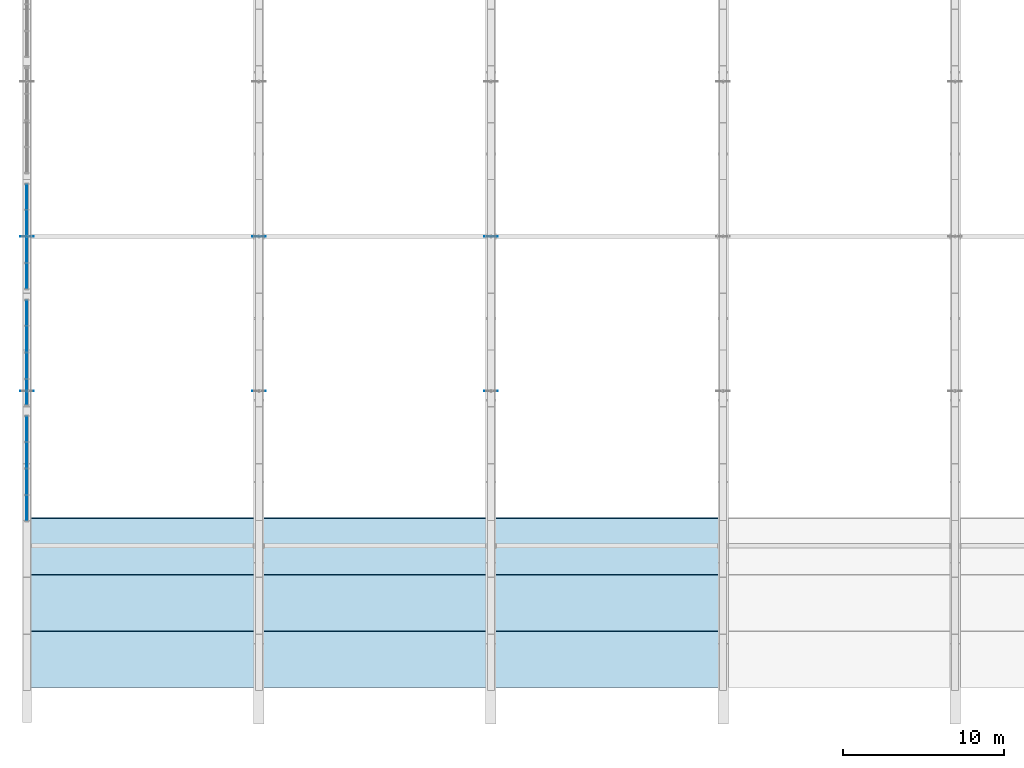
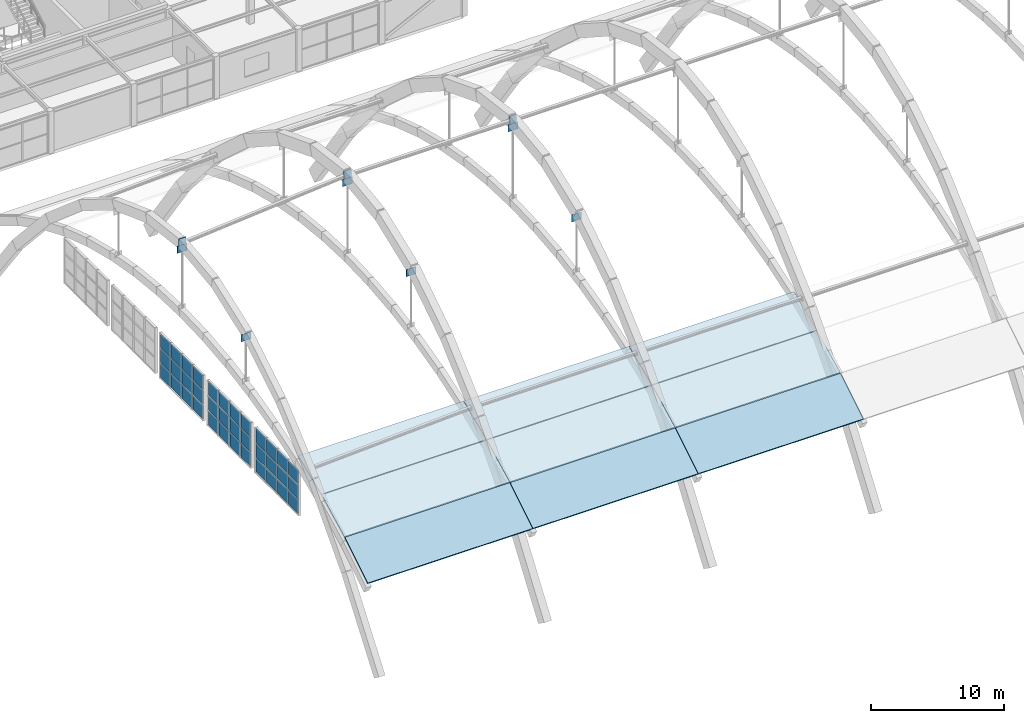
# One storey, part 38 of 64: 45 plates, 9 slabs, 3 elements without a shape of their own.
"""IFC4 building model written with IfcOpenShell, lengths in metres."""

from ifc_helpers import new_model, si_unit, direction, frame, origin, origin_2d, place, context, subcontext, project, spatial, polyline, rectangle, outline, extrude, material, layer, layer_set, type_object, element, aggregate, save


model = new_model("IFC4")

# Units and contexts
model_context = context("Model", 3, precision=1e-05, world=origin(), true_north=direction((0.0, 1.0)))
body_context = subcontext(model_context, "Body", "Model", "MODEL_VIEW")
ifc_project = project(units=[si_unit("LENGTHUNIT", "METRE"), si_unit("AREAUNIT", "SQUARE_METRE"), si_unit("VOLUMEUNIT", "CUBIC_METRE"), si_unit("PLANEANGLEUNIT", "RADIAN"), si_unit("MASSUNIT", "GRAM", prefix="KILO")], contexts=[model_context])

# Site, building, storey
site_placement = place(None, origin())
site = spatial("IfcSite", under=ifc_project, at=site_placement, CompositionType="ELEMENT")
building_placement = place(site_placement, origin())
building = spatial("IfcBuilding", under=site, at=building_placement, Name="Leyfeld Transit Interchange", CompositionType="ELEMENT")
storey_placement = place(building_placement, frame((0.0, 0.0, 9.60009765625)))
storey = spatial("IfcBuildingStorey", under=building, at=storey_placement, Name="L02", CompositionType="ELEMENT", Elevation=9.60009765625)

# Curtain wall, plates
ifc_material_1 = material(Name="Anodised aluminium EN AW-6060 T66", Category="aluminium")
curtain_wall_type = type_object("IfcCurtainWallType", Name="CW-SYS-GAB-7200", PredefinedType="NOTDEFINED", material=ifc_material_1)
curtain_wall_1_placement = place(storey_placement, origin())
curtain_wall_1 = element("IfcCurtainWall", 1, at=curtain_wall_1_placement, inside=storey, type_object=curtain_wall_type, Name="Curtain Wall CW-L02-GABW-01", PredefinedType="NOTDEFINED")
ifc_material_2 = material(Name="Laminated safety acoustic glazing", Category="glass")
ifc_layer_1 = layer(ifc_material_2, 0.048095703125, Name="Laminated safety acoustic glazing")
ifc_layer_set_1 = layer_set([ifc_layer_1], Name="Laminated safety acoustic glazing")
plate_type_1 = type_object("IfcPlateType", Name="CW-PNL-ACU-48", PredefinedType="CURTAIN_PANEL", material=ifc_layer_set_1)
plate_1_placement = place(storey_placement, frame((0.0, 15.54638671875, -0.5166015625), z_axis=(0.0, 0.0, 1.0), x_axis=(0.0, 1.0, 0.0)))
plate_1 = element("IfcPlate", 2, at=plate_1_placement, type_object=plate_type_1, Name="Glazed Curtain Panel CW-L02-GABW-01-P01_1", PredefinedType="CURTAIN_PANEL", context=body_context, shape_type="SweptSolid", body=[
    extrude(rectangle(XDim=1.525390625, YDim=0.048095703125, at=origin_2d()), origin(), (0.0, 0.0, 1.0), 1.289794921875),
])
plate_2_placement = place(storey_placement, frame((0.0, 15.54638671875, 0.855224609375), z_axis=(0.0, 0.0, 1.0), x_axis=(0.0, 1.0, 0.0)))
plate_2 = element("IfcPlate", 3, at=plate_2_placement, type_object=plate_type_1, Name="Glazed Curtain Panel CW-L02-GABW-01-P01_2", PredefinedType="CURTAIN_PANEL", context=body_context, shape_type="SweptSolid", body=[
    extrude(rectangle(XDim=1.525390625, YDim=0.048095703125, at=origin_2d()), origin(), (0.0, 0.0, 1.0), 1.28955078125),
])
plate_3_placement = place(storey_placement, frame((0.0, 15.54638671875, 2.2265625), z_axis=(0.0, 0.0, 1.0), x_axis=(0.0, 1.0, 0.0)))
plate_3 = element("IfcPlate", 4, at=plate_3_placement, type_object=plate_type_1, Name="Glazed Curtain Panel CW-L02-GABW-01-P01_3", PredefinedType="CURTAIN_PANEL", context=body_context, shape_type="SweptSolid", body=[
    extrude(rectangle(XDim=1.525390625, YDim=0.048095703125, at=origin_2d()), origin(), (0.0, 0.0, 1.0), 1.289794921875),
])
plate_4_placement = place(storey_placement, frame((0.0, 17.175048828125, -0.5166015625), z_axis=(0.0, 0.0, 1.0), x_axis=(0.0, 1.0, 0.0)))
plate_4 = element("IfcPlate", 5, at=plate_4_placement, type_object=plate_type_1, Name="Glazed Curtain Panel CW-L02-GABW-01-P02_1", PredefinedType="CURTAIN_PANEL", context=body_context, shape_type="SweptSolid", body=[
    extrude(rectangle(XDim=1.568115234375, YDim=0.048095703125, at=origin_2d()), origin(), (0.0, 0.0, 1.0), 1.289794921875),
])
plate_5_placement = place(storey_placement, frame((0.0, 17.175048828125, 0.855224609375), z_axis=(0.0, 0.0, 1.0), x_axis=(0.0, 1.0, 0.0)))
plate_5 = element("IfcPlate", 6, at=plate_5_placement, type_object=plate_type_1, Name="Glazed Curtain Panel CW-L02-GABW-01-P02_2", PredefinedType="CURTAIN_PANEL", context=body_context, shape_type="SweptSolid", body=[
    extrude(rectangle(XDim=1.568115234375, YDim=0.048095703125, at=origin_2d()), origin(), (0.0, 0.0, 1.0), 1.28955078125),
])
plate_6_placement = place(storey_placement, frame((0.0, 17.175048828125, 2.2265625), z_axis=(0.0, 0.0, 1.0), x_axis=(0.0, 1.0, 0.0)))
plate_6 = element("IfcPlate", 7, at=plate_6_placement, type_object=plate_type_1, Name="Glazed Curtain Panel CW-L02-GABW-01-P02_3", PredefinedType="CURTAIN_PANEL", context=body_context, shape_type="SweptSolid", body=[
    extrude(rectangle(XDim=1.568115234375, YDim=0.048095703125, at=origin_2d()), origin(), (0.0, 0.0, 1.0), 1.289794921875),
])
plate_7_placement = place(storey_placement, frame((0.0, 18.824951171875, -0.5166015625), z_axis=(0.0, 0.0, 1.0), x_axis=(0.0, 1.0, 0.0)))
plate_7 = element("IfcPlate", 8, at=plate_7_placement, type_object=plate_type_1, Name="Glazed Curtain Panel CW-L02-GABW-01-P03_1", PredefinedType="CURTAIN_PANEL", context=body_context, shape_type="SweptSolid", body=[
    extrude(rectangle(XDim=1.568115234375, YDim=0.048095703125, at=origin_2d()), origin(), (0.0, 0.0, 1.0), 1.289794921875),
])
plate_8_placement = place(storey_placement, frame((0.0, 18.824951171875, 0.855224609375), z_axis=(0.0, 0.0, 1.0), x_axis=(0.0, 1.0, 0.0)))
plate_8 = element("IfcPlate", 9, at=plate_8_placement, type_object=plate_type_1, Name="Glazed Curtain Panel CW-L02-GABW-01-P03_2", PredefinedType="CURTAIN_PANEL", context=body_context, shape_type="SweptSolid", body=[
    extrude(rectangle(XDim=1.568115234375, YDim=0.048095703125, at=origin_2d()), origin(), (0.0, 0.0, 1.0), 1.28955078125),
])
plate_9_placement = place(storey_placement, frame((0.0, 18.824951171875, 2.2265625), z_axis=(0.0, 0.0, 1.0), x_axis=(0.0, 1.0, 0.0)))
plate_9 = element("IfcPlate", 10, at=plate_9_placement, type_object=plate_type_1, Name="Glazed Curtain Panel CW-L02-GABW-01-P03_3", PredefinedType="CURTAIN_PANEL", context=body_context, shape_type="SweptSolid", body=[
    extrude(rectangle(XDim=1.568115234375, YDim=0.048095703125, at=origin_2d()), origin(), (0.0, 0.0, 1.0), 1.289794921875),
])
plate_10_placement = place(storey_placement, frame((0.0, 20.45361328125, -0.5166015625), z_axis=(0.0, 0.0, 1.0), x_axis=(0.0, 1.0, 0.0)))
plate_10 = element("IfcPlate", 11, at=plate_10_placement, type_object=plate_type_1, Name="Glazed Curtain Panel CW-L02-GABW-01-P04_1", PredefinedType="CURTAIN_PANEL", context=body_context, shape_type="SweptSolid", body=[
    extrude(rectangle(XDim=1.525390625, YDim=0.048095703125, at=origin_2d()), origin(), (0.0, 0.0, 1.0), 1.289794921875),
])
plate_11_placement = place(storey_placement, frame((0.0, 20.45361328125, 0.855224609375), z_axis=(0.0, 0.0, 1.0), x_axis=(0.0, 1.0, 0.0)))
plate_11 = element("IfcPlate", 12, at=plate_11_placement, type_object=plate_type_1, Name="Glazed Curtain Panel CW-L02-GABW-01-P04_2", PredefinedType="CURTAIN_PANEL", context=body_context, shape_type="SweptSolid", body=[
    extrude(rectangle(XDim=1.525390625, YDim=0.048095703125, at=origin_2d()), origin(), (0.0, 0.0, 1.0), 1.28955078125),
])
plate_12_placement = place(storey_placement, frame((0.0, 20.45361328125, 2.2265625), z_axis=(0.0, 0.0, 1.0), x_axis=(0.0, 1.0, 0.0)))
plate_12 = element("IfcPlate", 13, at=plate_12_placement, type_object=plate_type_1, Name="Glazed Curtain Panel CW-L02-GABW-01-P04_3", PredefinedType="CURTAIN_PANEL", context=body_context, shape_type="SweptSolid", body=[
    extrude(rectangle(XDim=1.525390625, YDim=0.048095703125, at=origin_2d()), origin(), (0.0, 0.0, 1.0), 1.289794921875),
])
aggregate(curtain_wall_1, [plate_1, plate_2, plate_3, plate_4, plate_5, plate_6, plate_7, plate_8, plate_9, plate_10, plate_11, plate_12])

curtain_wall_2_placement = place(storey_placement, origin())
curtain_wall_2 = element("IfcCurtainWall", 14, at=curtain_wall_2_placement, inside=storey, type_object=curtain_wall_type, Name="Curtain Wall CW-L02-GABW-02", PredefinedType="NOTDEFINED")
plate_13_placement = place(storey_placement, frame((0.0, 22.746337890625, -0.5166015625), z_axis=(0.0, 0.0, 1.0), x_axis=(0.0, 1.0, 0.0)))
plate_13 = element("IfcPlate", 15, at=plate_13_placement, type_object=plate_type_1, Name="Glazed Curtain Panel CW-L02-GABW-02-P01_1", PredefinedType="CURTAIN_PANEL", context=body_context, shape_type="SweptSolid", body=[
    extrude(rectangle(XDim=1.525390625, YDim=0.048095703125, at=origin_2d()), origin(), (0.0, 0.0, 1.0), 1.289794921875),
])
plate_14_placement = place(storey_placement, frame((0.0, 22.746337890625, 0.855224609375), z_axis=(0.0, 0.0, 1.0), x_axis=(0.0, 1.0, 0.0)))
plate_14 = element("IfcPlate", 16, at=plate_14_placement, type_object=plate_type_1, Name="Glazed Curtain Panel CW-L02-GABW-02-P01_2", PredefinedType="CURTAIN_PANEL", context=body_context, shape_type="SweptSolid", body=[
    extrude(rectangle(XDim=1.525390625, YDim=0.048095703125, at=origin_2d()), origin(), (0.0, 0.0, 1.0), 1.28955078125),
])
plate_15_placement = place(storey_placement, frame((0.0, 22.746337890625, 2.2265625), z_axis=(0.0, 0.0, 1.0), x_axis=(0.0, 1.0, 0.0)))
plate_15 = element("IfcPlate", 17, at=plate_15_placement, type_object=plate_type_1, Name="Glazed Curtain Panel CW-L02-GABW-02-P01_3", PredefinedType="CURTAIN_PANEL", context=body_context, shape_type="SweptSolid", body=[
    extrude(rectangle(XDim=1.525390625, YDim=0.048095703125, at=origin_2d()), origin(), (0.0, 0.0, 1.0), 1.289794921875),
])
plate_16_placement = place(storey_placement, frame((0.0, 24.375, -0.5166015625), z_axis=(0.0, 0.0, 1.0), x_axis=(0.0, 1.0, 0.0)))
plate_16 = element("IfcPlate", 18, at=plate_16_placement, type_object=plate_type_1, Name="Glazed Curtain Panel CW-L02-GABW-02-P02_1", PredefinedType="CURTAIN_PANEL", context=body_context, shape_type="SweptSolid", body=[
    extrude(rectangle(XDim=1.568115234375, YDim=0.048095703125, at=origin_2d()), origin(), (0.0, 0.0, 1.0), 1.289794921875),
])
plate_17_placement = place(storey_placement, frame((0.0, 24.375, 0.855224609375), z_axis=(0.0, 0.0, 1.0), x_axis=(0.0, 1.0, 0.0)))
plate_17 = element("IfcPlate", 19, at=plate_17_placement, type_object=plate_type_1, Name="Glazed Curtain Panel CW-L02-GABW-02-P02_2", PredefinedType="CURTAIN_PANEL", context=body_context, shape_type="SweptSolid", body=[
    extrude(rectangle(XDim=1.568115234375, YDim=0.048095703125, at=origin_2d()), origin(), (0.0, 0.0, 1.0), 1.28955078125),
])
plate_18_placement = place(storey_placement, frame((0.0, 24.375, 2.2265625), z_axis=(0.0, 0.0, 1.0), x_axis=(0.0, 1.0, 0.0)))
plate_18 = element("IfcPlate", 20, at=plate_18_placement, type_object=plate_type_1, Name="Glazed Curtain Panel CW-L02-GABW-02-P02_3", PredefinedType="CURTAIN_PANEL", context=body_context, shape_type="SweptSolid", body=[
    extrude(rectangle(XDim=1.568115234375, YDim=0.048095703125, at=origin_2d()), origin(), (0.0, 0.0, 1.0), 1.289794921875),
])
plate_19_placement = place(storey_placement, frame((0.0, 26.02490234375, -0.5166015625), z_axis=(0.0, 0.0, 1.0), x_axis=(0.0, 1.0, 0.0)))
plate_19 = element("IfcPlate", 21, at=plate_19_placement, type_object=plate_type_1, Name="Glazed Curtain Panel CW-L02-GABW-02-P03_1", PredefinedType="CURTAIN_PANEL", context=body_context, shape_type="SweptSolid", body=[
    extrude(rectangle(XDim=1.568115234375, YDim=0.048095703125, at=origin_2d()), origin(), (0.0, 0.0, 1.0), 1.289794921875),
])
plate_20_placement = place(storey_placement, frame((0.0, 26.02490234375, 0.855224609375), z_axis=(0.0, 0.0, 1.0), x_axis=(0.0, 1.0, 0.0)))
plate_20 = element("IfcPlate", 22, at=plate_20_placement, type_object=plate_type_1, Name="Glazed Curtain Panel CW-L02-GABW-02-P03_2", PredefinedType="CURTAIN_PANEL", context=body_context, shape_type="SweptSolid", body=[
    extrude(rectangle(XDim=1.568115234375, YDim=0.048095703125, at=origin_2d()), origin(), (0.0, 0.0, 1.0), 1.28955078125),
])
plate_21_placement = place(storey_placement, frame((0.0, 26.02490234375, 2.2265625), z_axis=(0.0, 0.0, 1.0), x_axis=(0.0, 1.0, 0.0)))
plate_21 = element("IfcPlate", 23, at=plate_21_placement, type_object=plate_type_1, Name="Glazed Curtain Panel CW-L02-GABW-02-P03_3", PredefinedType="CURTAIN_PANEL", context=body_context, shape_type="SweptSolid", body=[
    extrude(rectangle(XDim=1.568115234375, YDim=0.048095703125, at=origin_2d()), origin(), (0.0, 0.0, 1.0), 1.289794921875),
])
plate_22_placement = place(storey_placement, frame((0.0, 27.65380859375, -0.5166015625), z_axis=(0.0, 0.0, 1.0), x_axis=(0.0, 1.0, 0.0)))
plate_22 = element("IfcPlate", 24, at=plate_22_placement, type_object=plate_type_1, Name="Glazed Curtain Panel CW-L02-GABW-02-P04_1", PredefinedType="CURTAIN_PANEL", context=body_context, shape_type="SweptSolid", body=[
    extrude(rectangle(XDim=1.525390625, YDim=0.048095703125, at=origin_2d()), origin(), (0.0, 0.0, 1.0), 1.289794921875),
])
plate_23_placement = place(storey_placement, frame((0.0, 27.65380859375, 0.855224609375), z_axis=(0.0, 0.0, 1.0), x_axis=(0.0, 1.0, 0.0)))
plate_23 = element("IfcPlate", 25, at=plate_23_placement, type_object=plate_type_1, Name="Glazed Curtain Panel CW-L02-GABW-02-P04_2", PredefinedType="CURTAIN_PANEL", context=body_context, shape_type="SweptSolid", body=[
    extrude(rectangle(XDim=1.525390625, YDim=0.048095703125, at=origin_2d()), origin(), (0.0, 0.0, 1.0), 1.28955078125),
])
plate_24_placement = place(storey_placement, frame((0.0, 27.65380859375, 2.2265625), z_axis=(0.0, 0.0, 1.0), x_axis=(0.0, 1.0, 0.0)))
plate_24 = element("IfcPlate", 26, at=plate_24_placement, type_object=plate_type_1, Name="Glazed Curtain Panel CW-L02-GABW-02-P04_3", PredefinedType="CURTAIN_PANEL", context=body_context, shape_type="SweptSolid", body=[
    extrude(rectangle(XDim=1.525390625, YDim=0.048095703125, at=origin_2d()), origin(), (0.0, 0.0, 1.0), 1.289794921875),
])
aggregate(curtain_wall_2, [plate_13, plate_14, plate_15, plate_16, plate_17, plate_18, plate_19, plate_20, plate_21, plate_22, plate_23, plate_24])

curtain_wall_3_placement = place(storey_placement, origin())
curtain_wall_3 = element("IfcCurtainWall", 27, at=curtain_wall_3_placement, inside=storey, type_object=curtain_wall_type, Name="Curtain Wall CW-L02-GABW-03", PredefinedType="NOTDEFINED")
plate_25_placement = place(storey_placement, frame((0.0, 29.9462890625, -0.5166015625), z_axis=(0.0, 0.0, 1.0), x_axis=(0.0, 1.0, 0.0)))
plate_25 = element("IfcPlate", 28, at=plate_25_placement, type_object=plate_type_1, Name="Glazed Curtain Panel CW-L02-GABW-03-P01_1", PredefinedType="CURTAIN_PANEL", context=body_context, shape_type="SweptSolid", body=[
    extrude(rectangle(XDim=1.525390625, YDim=0.048095703125, at=origin_2d()), origin(), (0.0, 0.0, 1.0), 1.289794921875),
])
plate_26_placement = place(storey_placement, frame((0.0, 29.9462890625, 0.855224609375), z_axis=(0.0, 0.0, 1.0), x_axis=(0.0, 1.0, 0.0)))
plate_26 = element("IfcPlate", 29, at=plate_26_placement, type_object=plate_type_1, Name="Glazed Curtain Panel CW-L02-GABW-03-P01_2", PredefinedType="CURTAIN_PANEL", context=body_context, shape_type="SweptSolid", body=[
    extrude(rectangle(XDim=1.525390625, YDim=0.048095703125, at=origin_2d()), origin(), (0.0, 0.0, 1.0), 1.28955078125),
])
plate_27_placement = place(storey_placement, frame((0.0, 29.9462890625, 2.2265625), z_axis=(0.0, 0.0, 1.0), x_axis=(0.0, 1.0, 0.0)))
plate_27 = element("IfcPlate", 30, at=plate_27_placement, type_object=plate_type_1, Name="Glazed Curtain Panel CW-L02-GABW-03-P01_3", PredefinedType="CURTAIN_PANEL", context=body_context, shape_type="SweptSolid", body=[
    extrude(rectangle(XDim=1.525390625, YDim=0.048095703125, at=origin_2d()), origin(), (0.0, 0.0, 1.0), 1.289794921875),
])
plate_28_placement = place(storey_placement, frame((0.0, 31.574951171875, -0.5166015625), z_axis=(0.0, 0.0, 1.0), x_axis=(0.0, 1.0, 0.0)))
plate_28 = element("IfcPlate", 31, at=plate_28_placement, type_object=plate_type_1, Name="Glazed Curtain Panel CW-L02-GABW-03-P02_1", PredefinedType="CURTAIN_PANEL", context=body_context, shape_type="SweptSolid", body=[
    extrude(rectangle(XDim=1.568115234375, YDim=0.048095703125, at=origin_2d()), origin(), (0.0, 0.0, 1.0), 1.289794921875),
])
plate_29_placement = place(storey_placement, frame((0.0, 31.574951171875, 0.855224609375), z_axis=(0.0, 0.0, 1.0), x_axis=(0.0, 1.0, 0.0)))
plate_29 = element("IfcPlate", 32, at=plate_29_placement, type_object=plate_type_1, Name="Glazed Curtain Panel CW-L02-GABW-03-P02_2", PredefinedType="CURTAIN_PANEL", context=body_context, shape_type="SweptSolid", body=[
    extrude(rectangle(XDim=1.568115234375, YDim=0.048095703125, at=origin_2d()), origin(), (0.0, 0.0, 1.0), 1.28955078125),
])
plate_30_placement = place(storey_placement, frame((0.0, 31.574951171875, 2.2265625), z_axis=(0.0, 0.0, 1.0), x_axis=(0.0, 1.0, 0.0)))
plate_30 = element("IfcPlate", 33, at=plate_30_placement, type_object=plate_type_1, Name="Glazed Curtain Panel CW-L02-GABW-03-P02_3", PredefinedType="CURTAIN_PANEL", context=body_context, shape_type="SweptSolid", body=[
    extrude(rectangle(XDim=1.568115234375, YDim=0.048095703125, at=origin_2d()), origin(), (0.0, 0.0, 1.0), 1.289794921875),
])
plate_31_placement = place(storey_placement, frame((0.0, 33.22509765625, -0.5166015625), z_axis=(0.0, 0.0, 1.0), x_axis=(0.0, 1.0, 0.0)))
plate_31 = element("IfcPlate", 34, at=plate_31_placement, type_object=plate_type_1, Name="Glazed Curtain Panel CW-L02-GABW-03-P03_1", PredefinedType="CURTAIN_PANEL", context=body_context, shape_type="SweptSolid", body=[
    extrude(rectangle(XDim=1.568115234375, YDim=0.048095703125, at=origin_2d()), origin(), (0.0, 0.0, 1.0), 1.289794921875),
])
plate_32_placement = place(storey_placement, frame((0.0, 33.22509765625, 0.855224609375), z_axis=(0.0, 0.0, 1.0), x_axis=(0.0, 1.0, 0.0)))
plate_32 = element("IfcPlate", 35, at=plate_32_placement, type_object=plate_type_1, Name="Glazed Curtain Panel CW-L02-GABW-03-P03_2", PredefinedType="CURTAIN_PANEL", context=body_context, shape_type="SweptSolid", body=[
    extrude(rectangle(XDim=1.568115234375, YDim=0.048095703125, at=origin_2d()), origin(), (0.0, 0.0, 1.0), 1.28955078125),
])
plate_33_placement = place(storey_placement, frame((0.0, 33.22509765625, 2.2265625), z_axis=(0.0, 0.0, 1.0), x_axis=(0.0, 1.0, 0.0)))
plate_33 = element("IfcPlate", 36, at=plate_33_placement, type_object=plate_type_1, Name="Glazed Curtain Panel CW-L02-GABW-03-P03_3", PredefinedType="CURTAIN_PANEL", context=body_context, shape_type="SweptSolid", body=[
    extrude(rectangle(XDim=1.568115234375, YDim=0.048095703125, at=origin_2d()), origin(), (0.0, 0.0, 1.0), 1.289794921875),
])
plate_34_placement = place(storey_placement, frame((0.0, 34.853759765625, -0.5166015625), z_axis=(0.0, 0.0, 1.0), x_axis=(0.0, 1.0, 0.0)))
plate_34 = element("IfcPlate", 37, at=plate_34_placement, type_object=plate_type_1, Name="Glazed Curtain Panel CW-L02-GABW-03-P04_1", PredefinedType="CURTAIN_PANEL", context=body_context, shape_type="SweptSolid", body=[
    extrude(rectangle(XDim=1.525390625, YDim=0.048095703125, at=origin_2d()), origin(), (0.0, 0.0, 1.0), 1.289794921875),
])
plate_35_placement = place(storey_placement, frame((0.0, 34.853759765625, 0.855224609375), z_axis=(0.0, 0.0, 1.0), x_axis=(0.0, 1.0, 0.0)))
plate_35 = element("IfcPlate", 38, at=plate_35_placement, type_object=plate_type_1, Name="Glazed Curtain Panel CW-L02-GABW-03-P04_2", PredefinedType="CURTAIN_PANEL", context=body_context, shape_type="SweptSolid", body=[
    extrude(rectangle(XDim=1.525390625, YDim=0.048095703125, at=origin_2d()), origin(), (0.0, 0.0, 1.0), 1.28955078125),
])
plate_36_placement = place(storey_placement, frame((0.0, 34.853759765625, 2.2265625), z_axis=(0.0, 0.0, 1.0), x_axis=(0.0, 1.0, 0.0)))
plate_36 = element("IfcPlate", 39, at=plate_36_placement, type_object=plate_type_1, Name="Glazed Curtain Panel CW-L02-GABW-03-P04_3", PredefinedType="CURTAIN_PANEL", context=body_context, shape_type="SweptSolid", body=[
    extrude(rectangle(XDim=1.525390625, YDim=0.048095703125, at=origin_2d()), origin(), (0.0, 0.0, 1.0), 1.289794921875),
])
aggregate(curtain_wall_3, [plate_25, plate_26, plate_27, plate_28, plate_29, plate_30, plate_31, plate_32, plate_33, plate_34, plate_35, plate_36])

# Plates
ifc_material_3 = material(Name="Steel S355J2", Category="steel")
ifc_layer_2 = layer(ifc_material_3, 0.031982421875, Name="Steel S355J2")
ifc_layer_set_2 = layer_set([ifc_layer_2], Name="Steel S355J2")
plate_type_2 = type_object("IfcPlateType", Name="PLT-GUS-32", PredefinedType="SHEET", material=ifc_layer_set_2)
for number, where, z_axis, x_axis, name in (
    (40, (0.0, 22.800048828125, 10.634765625), (0.0, 0.0, 1.0), (1.0, 0.0, 0.0), "Hanger Upper Gusset Plate GP-W H3"),
    (41, (0.0, 32.39990234375, 12.971435546875), (0.0, 0.0, 1.0), (1.0, 0.0, 0.0), "Hanger Upper Gusset Plate GP-W H4"),
    (42, (14.39990234375, 22.800048828125, 11.59765625), (0.0, 0.0, 1.0), (1.0, 0.0, 0.0), "Hanger Upper Gusset Plate AR-01 H3"),
    (43, (14.39990234375, 32.39990234375, 14.0703125), (0.0, 0.0, 1.0), (1.0, 0.0, 0.0), "Hanger Upper Gusset Plate AR-01 H4"),
    (44, (28.800048828125, 22.800048828125, 11.59765625), (0.0, 0.0, 1.0), (1.0, 0.0, 0.0), "Hanger Upper Gusset Plate AR-02 H3"),
    (45, (28.800048828125, 32.39990234375, 14.0703125), (0.0, 0.0, 1.0), (1.0, 0.0, 0.0), "Hanger Upper Gusset Plate AR-02 H4"),
):
    element("IfcPlate", number, at=place(storey_placement, frame(where, z_axis=z_axis, x_axis=x_axis)), inside=storey, type_object=plate_type_2, Name=name, PredefinedType="SHEET", context=body_context, shape_type="SweptSolid", body=[
        extrude(rectangle(XDim=0.85009765625, YDim=0.031982421875, at=origin_2d()), origin(), (0.0, 0.0, 1.0), 0.64990234375),
    ])
ifc_material_4 = material(Name="Steel S355J2 - Ochre Arch", Category="steel")
ifc_layer_3 = layer(ifc_material_4, 0.02392578125, Name="Steel S355J2 - Ochre Arch")
ifc_layer_set_3 = layer_set([ifc_layer_3], Name="Steel S355J2 - Ochre Arch")
plate_type_3 = type_object("IfcPlateType", Name="PLT-STIF-24", PredefinedType="USERDEFINED", material=ifc_layer_set_3)
plate_37_placement = place(storey_placement, frame((0.0, 32.39990234375, 13.349853515625), z_axis=(0.0, 0.0, 1.0), x_axis=(1.0, 0.0, 0.0)))
element("IfcPlate", 46, at=plate_37_placement, inside=storey, type_object=plate_type_3, Name="Arch Crown Stiffener GP-W", ObjectType="STIFFENER_PLATE", PredefinedType="USERDEFINED", context=body_context, shape_type="SweptSolid", body=[
    extrude(rectangle(XDim=0.64990234375, YDim=0.030029296875, at=origin_2d()), origin(), (0.0, 0.0, 1.0), 0.89990234375),
])
ifc_layer_4 = layer(ifc_material_4, 0.030029296875, Name="Steel S355J2 - Ochre Arch")
ifc_layer_set_4 = layer_set([ifc_layer_4], Name="Steel S355J2 - Ochre Arch")
plate_type_4 = type_object("IfcPlateType", Name="PLT-STIF-30", PredefinedType="USERDEFINED", material=ifc_layer_set_4)
for number, where, z_axis, x_axis, name in (
    (47, (14.39990234375, 32.39990234375, 14.550048828125), (0.0, 0.0, 1.0), (1.0, 0.0, 0.0), "Arch Crown Stiffener AR-01"),
    (48, (28.800048828125, 32.39990234375, 14.550048828125), (0.0, 0.0, 1.0), (1.0, 0.0, 0.0), "Arch Crown Stiffener AR-02"),
):
    element("IfcPlate", number, at=place(storey_placement, frame(where, z_axis=z_axis, x_axis=x_axis)), inside=storey, type_object=plate_type_4, Name=name, ObjectType="STIFFENER_PLATE", PredefinedType="USERDEFINED", context=body_context, shape_type="SweptSolid", body=[
        extrude(rectangle(XDim=0.64990234375, YDim=0.030029296875, at=origin_2d()), origin(), (0.0, 0.0, 1.0), 0.89990234375),
    ])

# Slabs
ifc_material_5 = material(Name="Concrete C35/45", Category="concrete")
ifc_layer_5 = layer(ifc_material_5, 0.22998046875, Name="Concrete C35/45")
ifc_layer_set_5 = layer_set([ifc_layer_5], Name="Concrete C35/45")
slab_type_1 = type_object("IfcSlabType", Name="SLB-VAR-230", PredefinedType="ROOF", material=ifc_layer_set_5)
slab_1_placement = place(storey_placement, frame((0.010009765625, 7.919921875, 1.572509765625), z_axis=(0.0, -0.455386646839, 0.890293772797), x_axis=(1.0, 0.0, 0.0)))
element("IfcSlab", 49, at=slab_1_placement, inside=storey, type_object=slab_type_1, Name="Concourse Barrel Vault Shell B1 F2", PredefinedType="ROOF", context=body_context, shape_type="SweptSolid", body=[
    extrude(outline(polyline([(0.0, 0.0), (14.3798828125, 0.0), (14.3798828125, 3.8863137575712736), (0.0, 3.8863137575712736), (0.0, 0.0)])), origin(), (0.0, 0.0, -1.0), 0.22998046875),
])
ifc_layer_6 = layer(ifc_material_5, 0.2451171875, Name="Concrete C35/45")
ifc_layer_set_6 = layer_set([ifc_layer_6], Name="Concrete C35/45")
slab_type_2 = type_object("IfcSlabType", Name="SLB-VAR-245", PredefinedType="ROOF", material=ifc_layer_set_6)
slab_2_placement = place(storey_placement, frame((14.409912109375, 7.919921875, 1.572509765625), z_axis=(0.0, -0.455386646839, 0.890293772797), x_axis=(1.0, 0.0, 0.0)))
element("IfcSlab", 50, at=slab_2_placement, inside=storey, type_object=slab_type_2, Name="Concourse Barrel Vault Shell B2 F2", PredefinedType="ROOF", context=body_context, shape_type="SweptSolid", body=[
    extrude(outline(polyline([(0.0, 0.0), (14.380126953125, 0.0), (14.380126953125, 3.8863137575712736), (0.0, 3.8863137575712736), (0.0, 0.0)])), origin(), (0.0, 0.0, -1.0), 0.2451171875),
])
ifc_layer_7 = layer(ifc_material_5, 0.2548828125, Name="Concrete C35/45")
ifc_layer_set_7 = layer_set([ifc_layer_7], Name="Concrete C35/45")
slab_type_3 = type_object("IfcSlabType", Name="SLB-VAR-255", PredefinedType="ROOF", material=ifc_layer_set_7)
slab_3_placement = place(storey_placement, frame((28.81005859375, 7.919921875, 1.572509765625), z_axis=(0.0, -0.455386646839, 0.890293772797), x_axis=(1.0, 0.0, 0.0)))
element("IfcSlab", 51, at=slab_3_placement, inside=storey, type_object=slab_type_3, Name="Concourse Barrel Vault Shell B3 F2", PredefinedType="ROOF", context=body_context, shape_type="SweptSolid", body=[
    extrude(outline(polyline([(0.0, 0.0), (14.3798828125, 0.0), (14.3798828125, 3.8863137575712736), (0.0, 3.8863137575712736), (0.0, 0.0)])), origin(), (0.0, 0.0, -1.0), 0.2548828125),
])
ifc_material_6 = material(Name="Concrete C40/50", Category="concrete")
ifc_layer_8 = layer(ifc_material_6, 0.159912109375, Name="Concrete C40/50")
ifc_layer_set_8 = layer_set([ifc_layer_8], Name="Concrete C40/50")
slab_type_4 = type_object("IfcSlabType", Name="SLB-VAULT-160", PredefinedType="ROOF", material=ifc_layer_set_8)
slab_4_placement = place(storey_placement, frame((0.010009765625, 11.419921875, 3.360595703125), z_axis=(0.0, -0.385336514748, 0.922776121495), x_axis=(1.0, 0.0, 0.0)))
element("IfcSlab", 52, at=slab_4_placement, inside=storey, type_object=slab_type_4, Name="Concourse Barrel Vault Shell B1 F3", PredefinedType="ROOF", context=body_context, shape_type="SweptSolid", body=[
    extrude(outline(polyline([(0.0, 0.0), (14.3798828125, 0.0), (14.3798828125, 3.7495128633080363), (0.0, 3.7495128633080363), (0.0, 0.0)])), origin(), (0.0, 0.0, -1.0), 0.159912109375),
])
slab_5_placement = place(storey_placement, frame((14.409912109375, 11.419921875, 3.360595703125), z_axis=(0.0, -0.385336514748, 0.922776121495), x_axis=(1.0, 0.0, 0.0)))
element("IfcSlab", 53, at=slab_5_placement, inside=storey, type_object=slab_type_4, Name="Concourse Barrel Vault Shell B2 F3", PredefinedType="ROOF", context=body_context, shape_type="SweptSolid", body=[
    extrude(outline(polyline([(0.0, 0.0), (14.380126953125, 0.0), (14.380126953125, 3.749512863308036), (0.0, 3.749512863308036), (0.0, 0.0)])), origin(), (0.0, 0.0, -1.0), 0.159912109375),
])
slab_6_placement = place(storey_placement, frame((28.81005859375, 11.419921875, 3.360595703125), z_axis=(0.0, -0.385336514748, 0.922776121495), x_axis=(1.0, 0.0, 0.0)))
element("IfcSlab", 54, at=slab_6_placement, inside=storey, type_object=slab_type_4, Name="Concourse Barrel Vault Shell B3 F3", PredefinedType="ROOF", context=body_context, shape_type="SweptSolid", body=[
    extrude(outline(polyline([(0.0, 0.0), (14.3798828125, 0.0), (14.3798828125, 3.7495128633080363), (0.0, 3.7495128633080363), (0.0, 0.0)])), origin(), (0.0, 0.0, -1.0), 0.159912109375),
])
ifc_layer_9 = layer(ifc_material_6, 0.175048828125, Name="Concrete C40/50")
ifc_layer_set_9 = layer_set([ifc_layer_9], Name="Concrete C40/50")
slab_type_5 = type_object("IfcSlabType", Name="SLB-VAULT-175", PredefinedType="ROOF", material=ifc_layer_set_9)
slab_7_placement = place(storey_placement, frame((0.010009765625, 4.419921875, -0.586669921875), z_axis=(0.0, -0.525436640298, 0.850832731524), x_axis=(1.0, 0.0, 0.0)))
element("IfcSlab", 55, at=slab_7_placement, inside=storey, type_object=slab_type_5, Name="Concourse Barrel Vault Shell B1 F1", PredefinedType="ROOF", context=body_context, shape_type="SweptSolid", body=[
    extrude(outline(polyline([(0.0, 0.0), (14.3798828125, 0.0), (14.3798828125, 4.066558336680718), (0.0, 4.066558336680718), (0.0, 0.0)])), origin(), (0.0, 0.0, -1.0), 0.175048828125),
])
slab_8_placement = place(storey_placement, frame((14.409912109375, 4.419921875, -0.586669921875), z_axis=(0.0, -0.525436640298, 0.850832731524), x_axis=(1.0, 0.0, 0.0)))
element("IfcSlab", 56, at=slab_8_placement, inside=storey, type_object=slab_type_5, Name="Concourse Barrel Vault Shell B2 F1", PredefinedType="ROOF", context=body_context, shape_type="SweptSolid", body=[
    extrude(outline(polyline([(0.0, 0.0), (14.380126953125, 0.0), (14.380126953125, 4.066558336680718), (0.0, 4.066558336680718), (0.0, 0.0)])), origin(), (0.0, 0.0, -1.0), 0.175048828125),
])
slab_9_placement = place(storey_placement, frame((28.81005859375, 4.419921875, -0.586669921875), z_axis=(0.0, -0.525436640298, 0.850832731524), x_axis=(1.0, 0.0, 0.0)))
element("IfcSlab", 57, at=slab_9_placement, inside=storey, type_object=slab_type_5, Name="Concourse Barrel Vault Shell B3 F1", PredefinedType="ROOF", context=body_context, shape_type="SweptSolid", body=[
    extrude(outline(polyline([(0.0, 0.0), (14.3798828125, 0.0), (14.3798828125, 4.066558336680718), (0.0, 4.066558336680718), (0.0, 0.0)])), origin(), (0.0, 0.0, -1.0), 0.175048828125),
])

save(model, "model.ifc")
